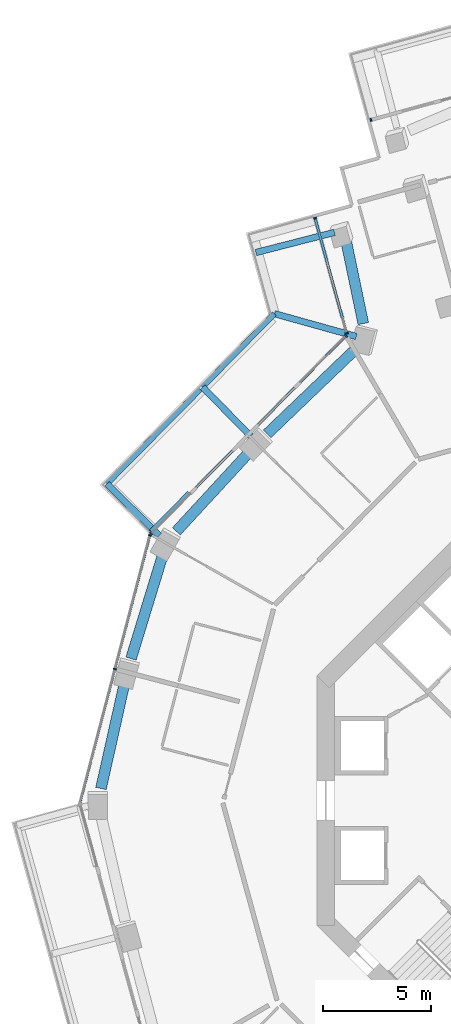
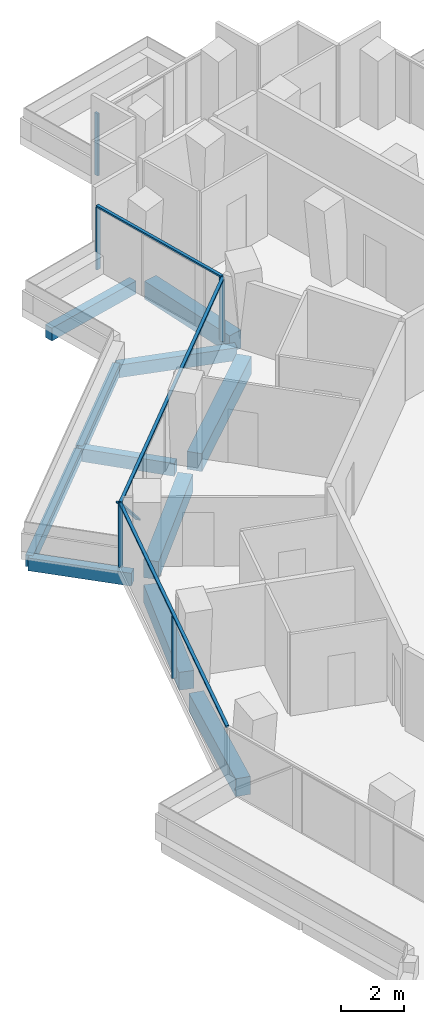
# One storey, part 7 of 26: 11 beams, 11 members, 4 elements without a shape of their own.
"""IFC4 building model written with IfcOpenShell, lengths in metres."""

from ifc_helpers import new_model, si_unit, direction, frame, origin, origin_2d, place, context, subcontext, project, spatial, rectangle, extrude, material, layer, layer_set, material_profile, profile_set, type_object, element, aggregate, save


model = new_model("IFC4")

# Units and contexts
model_context = context("Model", 3, precision=1e-05, world=origin(), true_north=direction((0.0, 1.0)))
body_context = subcontext(model_context, "Body", "Model", "MODEL_VIEW")
ifc_project = project(units=[si_unit("LENGTHUNIT", "METRE"), si_unit("AREAUNIT", "SQUARE_METRE"), si_unit("VOLUMEUNIT", "CUBIC_METRE"), si_unit("PLANEANGLEUNIT", "RADIAN"), si_unit("MASSUNIT", "GRAM", prefix="KILO")], contexts=[model_context])

# Site, building, storey
site_placement = place(None, origin())
site = spatial("IfcSite", under=ifc_project, at=site_placement, CompositionType="ELEMENT")
building_placement = place(site_placement, origin())
building = spatial("IfcBuilding", under=site, at=building_placement, Name="Verdalira Terraces Hotel", CompositionType="ELEMENT")
storey_placement = place(building_placement, frame((0.0, 0.0, 96.5)))
storey = spatial("IfcBuildingStorey", under=building, at=storey_placement, Name="L22", CompositionType="ELEMENT", Elevation=96.5)

# Beams
ifc_material_1 = material(Name="Concrete C40", Category="concrete")
ifc_material_profile_1 = material_profile(ifc_material_1, rectangle(XDim=0.300049, YDim=0.5, at=origin_2d()), Name="RC 300X500")
ifc_profile_set_1 = profile_set([ifc_material_profile_1], Name="Concrete C40")
beam_type_1 = type_object("IfcBeamType", Name="Balcony cantilever beam RC 300X500 C40", PredefinedType="BEAM", material=ifc_profile_set_1)
beam_1_placement = place(storey_placement, frame((-12.178711, 21.569092, -0.560059), z_axis=(-0.96318067, 0.268854974, 0.0), x_axis=(-0.268854974, -0.96318067, 0.0)))
element("IfcBeam", 1, at=beam_1_placement, inside=storey, type_object=beam_type_1, Name="Balcony cantilever beam R10-1", PredefinedType="BEAM", context=body_context, shape_type="SweptSolid", body=[
    extrude(rectangle(XDim=0.300049, YDim=0.5, at=origin_2d()), origin(), (0.0, 0.0, 1.0), 3.950195),
])
beam_2_placement = place(storey_placement, frame((-17.088135, 16.93457, -0.560059), z_axis=(-0.69966941, 0.714466736, 0.0), x_axis=(-0.714466736, -0.69966941, 0.0)))
element("IfcBeam", 2, at=beam_2_placement, inside=storey, type_object=beam_type_1, Name="Balcony cantilever beam R10-2", PredefinedType="BEAM", context=body_context, shape_type="SweptSolid", body=[
    extrude(rectangle(XDim=0.300049, YDim=0.5, at=origin_2d()), origin(), (0.0, 0.0, 1.0), 3.200684),
])
beam_3_placement = place(storey_placement, frame((-21.339111, 12.321289, -0.560059), z_axis=(-0.711522508, 0.702663306, 0.0), x_axis=(-0.702663306, -0.711522508, 0.0)))
element("IfcBeam", 3, at=beam_3_placement, inside=storey, type_object=beam_type_1, Name="Balcony cantilever beam R10-3", PredefinedType="BEAM", context=body_context, shape_type="SweptSolid", body=[
    extrude(rectangle(XDim=0.300049, YDim=0.5, at=origin_2d()), origin(), (0.0, 0.0, 1.0), 3.417236),
])
beam_4_placement = place(storey_placement, frame((-13.193115, 26.410889, -0.560059), z_axis=(-0.968582016, -0.248694347, 0.0), x_axis=(0.248694347, -0.968582016, 0.0)))
element("IfcBeam", 4, at=beam_4_placement, inside=storey, type_object=beam_type_1, Name="Balcony cantilever beam R10-4", PredefinedType="BEAM", context=body_context, shape_type="SweptSolid", body=[
    extrude(rectangle(XDim=0.300049, YDim=0.5, at=origin_2d()), origin(), (0.0, 0.0, 1.0), 3.774658),
])
ifc_material_2 = material(Name="Concrete C40", Category="concrete")
ifc_material_profile_2 = material_profile(ifc_material_2, rectangle(XDim=0.25, YDim=0.449951, at=origin_2d()), Name="RC 250X450")
ifc_profile_set_2 = profile_set([ifc_material_profile_2], Name="Concrete C40")
beam_type_2 = type_object("IfcBeamType", Name="Balcony edge beam RC 250X450 C40", PredefinedType="BEAM", material=ifc_profile_set_2)
beam_5_placement = place(storey_placement, frame((-15.983398, 22.631104, -0.534912), z_axis=(-0.700223699, -0.713923505, 0.0), x_axis=(0.713923505, -0.700223699, 0.0)))
element("IfcBeam", 5, at=beam_5_placement, inside=storey, type_object=beam_type_2, Name="Balcony edge beam R10-1", PredefinedType="BEAM", context=body_context, shape_type="SweptSolid", body=[
    extrude(rectangle(XDim=0.25, YDim=0.449951, at=origin_2d()), origin(), (0.0, 0.0, 1.0), 4.775879),
])
beam_6_placement = place(storey_placement, frame((-19.433105, 19.114746, -0.534912), z_axis=(-0.702643419, -0.711542146, 0.0), x_axis=(0.711542146, -0.702643419, 0.0)))
element("IfcBeam", 6, at=beam_6_placement, inside=storey, type_object=beam_type_2, Name="Balcony edge beam R10-2", PredefinedType="BEAM", context=body_context, shape_type="SweptSolid", body=[
    extrude(rectangle(XDim=0.25, YDim=0.449951, at=origin_2d()), origin(), (0.0, 0.0, 1.0), 6.173096),
])

# Curtain wall, members
ifc_material_3 = material(Name="Clear glass", Category="glass")
ifc_layer_1 = layer(ifc_material_3, 0.14990234375)
ifc_layer_set_1 = layer_set([ifc_layer_1], Name="CW1 curtain wall")
curtain_wall_type_1 = type_object("IfcCurtainWallType", Name="CW1 curtain wall", PredefinedType="NOTDEFINED", material=ifc_layer_set_1)
curtain_wall_1_placement = place(storey_placement, origin())
curtain_wall_1 = element("IfcCurtainWall", 7, at=curtain_wall_1_placement, inside=storey, type_object=curtain_wall_type_1, Name="CW1 curtain wall L22 edge 11", PredefinedType="NOTDEFINED")
ifc_material_4 = material(Name="Terracotta frame", Category="masonry")
ifc_material_profile_3 = material_profile(ifc_material_4, rectangle(XDim=0.060059, YDim=0.149902, at=origin_2d()), Name="MU 60x150")
ifc_profile_set_3 = profile_set([ifc_material_profile_3], Name="Terracotta frame")
member_type_1 = type_object("IfcMemberType", Name="CW1 mullion 60x150", PredefinedType="MULLION", material=ifc_profile_set_3)
member_1_placement = place(storey_placement, frame((-12.661133, 21.595947, 0.0), z_axis=(0.0, 0.0, 1.0), x_axis=(-0.70264997, -0.711535677, 0.0)))
member_1 = element("IfcMember", 8, at=member_1_placement, type_object=member_type_1, Name="CW1 mullion", PredefinedType="MULLION", context=body_context, shape_type="SweptSolid", body=[
    extrude(rectangle(XDim=0.060059, YDim=0.149902, at=origin_2d()), origin(), (0.0, 0.0, 1.0), 2.425049),
])
member_2_placement = place(storey_placement, frame((-21.725098, 12.41748, 0.0), z_axis=(0.0, 0.0, 1.0), x_axis=(-0.70264997, -0.711535677, 0.0)))
member_2 = element("IfcMember", 9, at=member_2_placement, type_object=member_type_1, Name="CW1 mullion", PredefinedType="MULLION", context=body_context, shape_type="SweptSolid", body=[
    extrude(rectangle(XDim=0.060059, YDim=0.149902, at=origin_2d()), origin(), (0.0, 0.0, 1.0), 2.425049),
])

curtain_wall_2_placement = place(storey_placement, origin())
curtain_wall_2 = element("IfcCurtainWall", 10, at=curtain_wall_2_placement, inside=storey, type_object=curtain_wall_type_1, Name="CW1 curtain wall L22 edge 12", PredefinedType="NOTDEFINED")
member_3_placement = place(storey_placement, frame((-21.772949, 12.333252, 0.0), z_axis=(0.0, 0.0, 1.0), x_axis=(-0.252744885, -0.967532957, 0.0)))
member_3 = element("IfcMember", 11, at=member_3_placement, type_object=member_type_1, Name="CW1 mullion", PredefinedType="MULLION", context=body_context, shape_type="SweptSolid", body=[
    extrude(rectangle(XDim=0.060059, YDim=0.149902, at=origin_2d()), origin(), (0.0, 0.0, 1.0), 2.425049),
])
member_4_placement = place(storey_placement, frame((-23.398193, 6.112305, 0.0), z_axis=(0.0, 0.0, 1.0), x_axis=(-0.252744885, -0.967532957, 0.0)))
member_4 = element("IfcMember", 12, at=member_4_placement, type_object=member_type_1, Name="CW1 mullion", PredefinedType="MULLION", context=body_context, shape_type="SweptSolid", body=[
    extrude(rectangle(XDim=0.060059, YDim=0.149902, at=origin_2d()), origin(), (0.0, 0.0, 1.0), 2.425049),
])

# Member
ifc_material_5 = material(Name="Terracotta frame", Category="masonry")
ifc_material_profile_4 = material_profile(ifc_material_5, rectangle(XDim=0.110107, YDim=0.064941, at=origin_2d()), Name="TR 65x110")
ifc_profile_set_4 = profile_set([ifc_material_profile_4], Name="Terracotta frame")
member_type_2 = type_object("IfcMemberType", Name="CW1 transom 65x110", PredefinedType="USERDEFINED", material=ifc_profile_set_4)
member_5_placement = place(storey_placement, frame((-12.640137, 21.617432, 2.45752), z_axis=(-0.702646984, -0.711538626, 0.0), x_axis=(0.711538626, -0.702646984, 0.0)))
member_5 = element("IfcMember", 13, at=member_5_placement, type_object=member_type_2, Name="CW1 transom", ObjectType="TRANSOM", PredefinedType="USERDEFINED", context=body_context, shape_type="SweptSolid", body=[
    extrude(rectangle(XDim=0.110107, YDim=0.064941, at=origin_2d()), origin(), (0.0, 0.0, 1.0), 12.959961),
])

member_6_placement = place(storey_placement, frame((-21.765381, 12.362305, 2.45752), z_axis=(-0.252744198, -0.967533136, 0.0), x_axis=(0.967533136, -0.252744198, 0.0)))
member_6 = element("IfcMember", 14, at=member_6_placement, type_object=member_type_2, Name="CW1 transom", ObjectType="TRANSOM", PredefinedType="USERDEFINED", context=body_context, shape_type="SweptSolid", body=[
    extrude(rectangle(XDim=0.110107, YDim=0.064941, at=origin_2d()), origin(), (0.0, 0.0, 1.0), 12.919678),
])

aggregate(curtain_wall_2, [member_3, member_4, member_6])

# Curtain wall, members
ifc_material_6 = material(Name="Clear glass", Category="glass")
ifc_layer_2 = layer(ifc_material_6, 0.14990234375)
ifc_layer_set_2 = layer_set([ifc_layer_2], Name="CW2 curtain wall")
curtain_wall_type_2 = type_object("IfcCurtainWallType", Name="CW2 curtain wall", PredefinedType="NOTDEFINED", material=ifc_layer_set_2)
curtain_wall_3_placement = place(storey_placement, origin())
curtain_wall_3 = element("IfcCurtainWall", 15, at=curtain_wall_3_placement, inside=storey, type_object=curtain_wall_type_2, Name="CW2 curtain wall L22 edge 10", PredefinedType="NOTDEFINED")
ifc_material_7 = material(Name="Terracotta frame", Category="masonry")
ifc_material_profile_5 = material_profile(ifc_material_7, rectangle(XDim=0.070068, YDim=0.149902, at=origin_2d()), Name="MU 70x150")
ifc_profile_set_5 = profile_set([ifc_material_profile_5], Name="Terracotta frame")
member_type_3 = type_object("IfcMemberType", Name="CW2 mullion 70x150", PredefinedType="MULLION", material=ifc_profile_set_5)
member_7_placement = place(storey_placement, frame((-14.100586, 27.075928, 0.0), z_axis=(0.0, 0.0, 1.0), x_axis=(0.264882987, -0.964280562, 0.0)))
member_7 = element("IfcMember", 16, at=member_7_placement, type_object=member_type_3, Name="CW2 mullion", PredefinedType="MULLION", context=body_context, shape_type="SweptSolid", body=[
    extrude(rectangle(XDim=0.070068, YDim=0.149902, at=origin_2d()), origin(), (0.0, 0.0, 1.0), 2.425049),
])
member_8_placement = place(storey_placement, frame((-12.630371, 21.723633, 0.0), z_axis=(0.0, 0.0, 1.0), x_axis=(0.264882987, -0.964280562, 0.0)))
member_8 = element("IfcMember", 17, at=member_8_placement, type_object=member_type_3, Name="CW2 mullion", PredefinedType="MULLION", context=body_context, shape_type="SweptSolid", body=[
    extrude(rectangle(XDim=0.070068, YDim=0.149902, at=origin_2d()), origin(), (0.0, 0.0, 1.0), 2.425049),
])
ifc_material_8 = material(Name="Terracotta frame", Category="masonry")
ifc_material_profile_6 = material_profile(ifc_material_8, rectangle(XDim=0.11499, YDim=0.064941, at=origin_2d()), Name="TR 65x115")
ifc_profile_set_6 = profile_set([ifc_material_profile_6], Name="Terracotta frame")
member_type_4 = type_object("IfcMemberType", Name="CW2 transom 65x115", PredefinedType="USERDEFINED", material=ifc_profile_set_6)
member_9_placement = place(storey_placement, frame((-14.109863, 27.109619, 2.45752), z_axis=(0.26488489, -0.96428004, 0.0), x_axis=(0.96428004, 0.26488489, 0.0)))
member_9 = element("IfcMember", 18, at=member_9_placement, type_object=member_type_4, Name="CW2 transom", ObjectType="TRANSOM", PredefinedType="USERDEFINED", context=body_context, shape_type="SweptSolid", body=[
    extrude(rectangle(XDim=0.11499, YDim=0.064941, at=origin_2d()), origin(), (0.0, 0.0, 1.0), 5.620361),
])
aggregate(curtain_wall_3, [member_7, member_8, member_9])

# Curtain wall, member
ifc_material_9 = material(Name="Clear glass", Category="glass")
ifc_layer_3 = layer(ifc_material_9, 0.14990234375)
ifc_layer_set_3 = layer_set([ifc_layer_3], Name="CW3 curtain wall")
curtain_wall_type_3 = type_object("IfcCurtainWallType", Name="CW3 curtain wall", PredefinedType="NOTDEFINED", material=ifc_layer_set_3)
curtain_wall_4_placement = place(storey_placement, origin())
curtain_wall_4 = element("IfcCurtainWall", 19, at=curtain_wall_4_placement, inside=storey, type_object=curtain_wall_type_3, Name="CW3 curtain wall L22 edge 5", PredefinedType="NOTDEFINED")
ifc_material_10 = material(Name="Terracotta frame", Category="masonry")
ifc_material_profile_7 = material_profile(ifc_material_10, rectangle(XDim=0.080078, YDim=0.149902, at=origin_2d()), Name="MU 80x150")
ifc_profile_set_7 = profile_set([ifc_material_profile_7], Name="Terracotta frame")
member_type_5 = type_object("IfcMemberType", Name="CW3 mullion 80x150", PredefinedType="MULLION", material=ifc_profile_set_7)
member_10_placement = place(storey_placement, frame((-11.500977, 31.637451, 0.0), z_axis=(0.0, 0.0, 1.0), x_axis=(-0.964280562, -0.264882987, 0.0)))
member_10 = element("IfcMember", 20, at=member_10_placement, type_object=member_type_5, Name="CW3 mullion", PredefinedType="MULLION", context=body_context, shape_type="SweptSolid", body=[
    extrude(rectangle(XDim=0.080078, YDim=0.149902, at=origin_2d()), origin(), (0.0, 0.0, 1.0), 2.425049),
])
aggregate(curtain_wall_4, [member_10])

# Member
ifc_material_11 = material(Name="Terracotta frame", Category="masonry")
ifc_material_profile_8 = material_profile(ifc_material_11, rectangle(XDim=0.149902, YDim=0.060059, at=origin_2d()), Name="GB 60x150")
ifc_profile_set_8 = profile_set([ifc_material_profile_8], Name="Terracotta frame")
member_type_6 = type_object("IfcMemberType", Name="Diagonal glazing bar 60x150", PredefinedType="USERDEFINED", material=ifc_profile_set_8)
member_11_placement = place(storey_placement, frame((-19.98291, 14.30835, 0.023193), z_axis=(-0.51052595, -0.516943668, 0.687118984), x_axis=(0.711509589, -0.702676387, 0.0)))
member_11 = element("IfcMember", 21, at=member_11_placement, type_object=member_type_6, Name="Diagonal glazing bar", ObjectType="GLAZING BAR", PredefinedType="USERDEFINED", context=body_context, shape_type="SweptSolid", body=[
    extrude(rectangle(XDim=0.149902, YDim=0.060059, at=origin_2d()), origin(), (0.0, 0.0, 1.0), 3.46167),
])

aggregate(curtain_wall_1, [member_1, member_2, member_5, member_11])

# Beams
ifc_material_12 = material(Name="Concrete C70", Category="concrete")
ifc_material_profile_9 = material_profile(ifc_material_12, rectangle(XDim=0.5, YDim=0.699951, at=origin_2d()), Name="RC 500X700")
ifc_profile_set_9 = profile_set([ifc_material_profile_9], Name="Concrete C70")
beam_type_3 = type_object("IfcBeamType", Name="Spandrel beam RC 500X700 C70", PredefinedType="SPANDREL", material=ifc_profile_set_9)
beam_7_placement = place(storey_placement, frame((-12.689697, 26.175781, -0.659912), z_axis=(0.203820822, -0.979008209, 0.0), x_axis=(0.979008209, 0.203820822, 0.0)))
element("IfcBeam", 22, at=beam_7_placement, inside=storey, type_object=beam_type_3, Name="Spandrel beam B03", PredefinedType="SPANDREL", context=body_context, shape_type="SweptSolid", body=[
    extrude(rectangle(XDim=0.5, YDim=0.699951, at=origin_2d()), origin(), (0.0, 0.0, 1.0), 4.091797),
])
beam_8_placement = place(storey_placement, frame((-12.231934, 20.966553, -0.659912), z_axis=(-0.721970285, -0.691924062, 0.0), x_axis=(0.691924062, -0.721970285, 0.0)))
element("IfcBeam", 23, at=beam_8_placement, inside=storey, type_object=beam_type_3, Name="Spandrel beam B04", PredefinedType="SPANDREL", context=body_context, shape_type="SweptSolid", body=[
    extrude(rectangle(XDim=0.5, YDim=0.699951, at=origin_2d()), origin(), (0.0, 0.0, 1.0), 5.671631),
])
beam_9_placement = place(storey_placement, frame((-17.149902, 16.201416, -0.659912), z_axis=(-0.677227453, -0.735773727, 0.0), x_axis=(0.735773727, -0.677227453, 0.0)))
element("IfcBeam", 24, at=beam_9_placement, inside=storey, type_object=beam_type_3, Name="Spandrel beam B05", PredefinedType="SPANDREL", context=body_context, shape_type="SweptSolid", body=[
    extrude(rectangle(XDim=0.5, YDim=0.699951, at=origin_2d()), origin(), (0.0, 0.0, 1.0), 5.012451),
])
beam_10_placement = place(storey_placement, frame((-21.183105, 11.39502, -0.659912), z_axis=(-0.292648874, -0.956219973, 0.0), x_axis=(0.956219973, -0.292648874, 0.0)))
element("IfcBeam", 25, at=beam_10_placement, inside=storey, type_object=beam_type_3, Name="Spandrel beam B06", PredefinedType="SPANDREL", context=body_context, shape_type="SweptSolid", body=[
    extrude(rectangle(XDim=0.5, YDim=0.699951, at=origin_2d()), origin(), (0.0, 0.0, 1.0), 5.015381),
])
beam_11_placement = place(storey_placement, frame((-22.952881, 5.455811, -0.659912), z_axis=(-0.218601108, -0.975814304, 0.0), x_axis=(0.975814304, -0.218601108, 0.0)))
element("IfcBeam", 26, at=beam_11_placement, inside=storey, type_object=beam_type_3, Name="Spandrel beam B07", PredefinedType="SPANDREL", context=body_context, shape_type="SweptSolid", body=[
    extrude(rectangle(XDim=0.5, YDim=0.699951, at=origin_2d()), origin(), (0.0, 0.0, 1.0), 5.012451),
])

save(model, "model.ifc")
